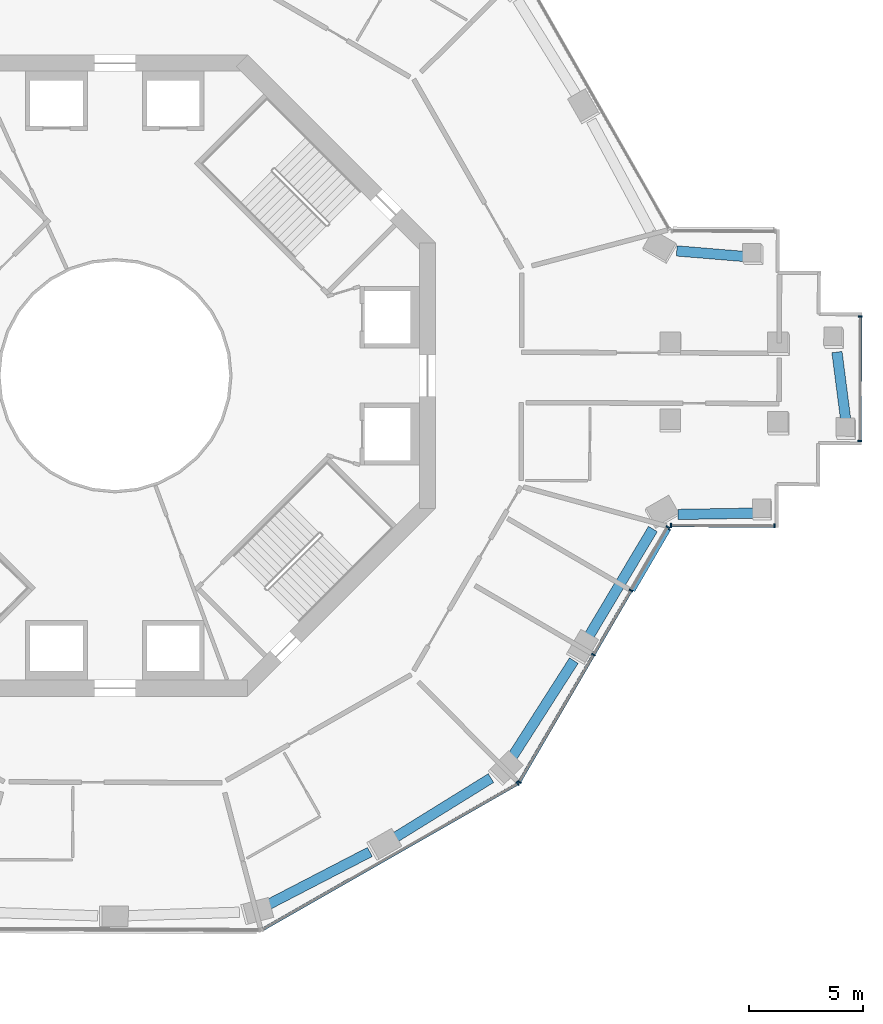
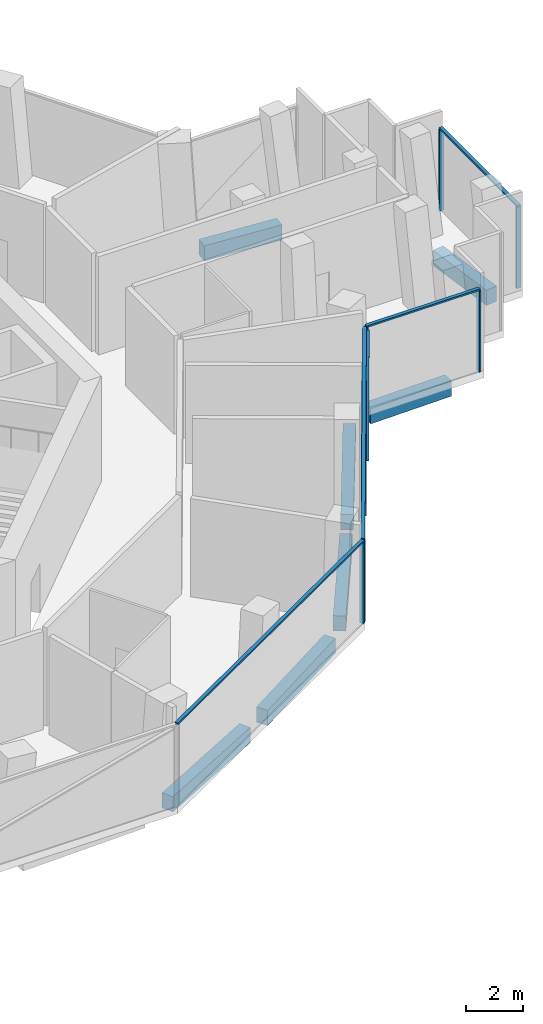
# One storey, part 4 of 16: 14 members, 7 beams, 4 elements without a shape of their own.
"""IFC4 building model written with IfcOpenShell, lengths in metres."""

from ifc_helpers import new_model, si_unit, direction, frame, origin, origin_2d, place, context, subcontext, project, spatial, rectangle, extrude, material, layer, layer_set, material_profile, profile_set, type_object, element, aggregate, save


model = new_model("IFC4")

# Units and contexts
model_context = context("Model", 3, precision=1e-05, world=origin(), true_north=direction((0.0, 1.0)))
body_context = subcontext(model_context, "Body", "Model", "MODEL_VIEW")
ifc_project = project(units=[si_unit("LENGTHUNIT", "METRE"), si_unit("AREAUNIT", "SQUARE_METRE"), si_unit("VOLUMEUNIT", "CUBIC_METRE"), si_unit("PLANEANGLEUNIT", "RADIAN"), si_unit("MASSUNIT", "GRAM", prefix="KILO")], contexts=[model_context])

# Site, building, storey
site_placement = place(None, origin())
site = spatial("IfcSite", under=ifc_project, at=site_placement, CompositionType="ELEMENT")
building_placement = place(site_placement, origin())
building = spatial("IfcBuilding", under=site, at=building_placement, Name="Verdalira Terraces Hotel", CompositionType="ELEMENT")
storey_placement = place(building_placement, frame((0.0, 0.0, 154.0)))
storey = spatial("IfcBuildingStorey", under=building, at=storey_placement, Name="L37", CompositionType="ELEMENT", Elevation=154.0)

# Curtain wall, member
ifc_material_1 = material(Name="Clear glass", Category="glass")
ifc_layer = layer(ifc_material_1, 0.179931640625)
ifc_layer_set = layer_set([ifc_layer], Name="CW4 curtain wall")
curtain_wall_type = type_object("IfcCurtainWallType", Name="CW4 curtain wall", PredefinedType="NOTDEFINED", material=ifc_layer_set)
curtain_wall_1_placement = place(storey_placement, origin())
curtain_wall_1 = element("IfcCurtainWall", 1, at=curtain_wall_1_placement, inside=storey, type_object=curtain_wall_type, Name="CW4 curtain wall L37 edge 26", PredefinedType="NOTDEFINED")
ifc_material_2 = material(Name="Terracotta frame", Category="masonry")
ifc_material_profile_1 = material_profile(ifc_material_2, rectangle(XDim=0.064941, YDim=0.179932, at=origin_2d()), Name="MU 65x180")
ifc_profile_set_1 = profile_set([ifc_material_profile_1], Name="Terracotta frame")
member_type_1 = type_object("IfcMemberType", Name="CW4 mullion 65x180", PredefinedType="MULLION", material=ifc_profile_set_1)
member_1_placement = place(storey_placement, frame((17.59082, -17.81665, 0.0), z_axis=(0.0, 0.0, 1.0), x_axis=(0.868112195, 0.496368025, 0.0)))
member_1 = element("IfcMember", 2, at=member_1_placement, type_object=member_type_1, Name="CW4 mullion", PredefinedType="MULLION", context=body_context, shape_type="SweptSolid", body=[
    extrude(rectangle(XDim=0.064941, YDim=0.179932, at=origin_2d()), origin(), (0.0, 0.0, 1.0), 3.469971),
])

# Curtain wall, members
curtain_wall_2_placement = place(storey_placement, origin())
curtain_wall_2 = element("IfcCurtainWall", 3, at=curtain_wall_2_placement, inside=storey, type_object=curtain_wall_type, Name="CW4 curtain wall L37 edge 27", PredefinedType="NOTDEFINED")
member_2_placement = place(storey_placement, frame((17.668457, -17.739502, 0.0), z_axis=(0.0, 0.0, 1.0), x_axis=(0.503623202, 0.863923417, 0.0)))
member_2 = element("IfcMember", 4, at=member_2_placement, type_object=member_type_1, Name="CW4 mullion", PredefinedType="MULLION", context=body_context, shape_type="SweptSolid", body=[
    extrude(rectangle(XDim=0.064941, YDim=0.179932, at=origin_2d()), origin(), (0.0, 0.0, 1.0), 3.469971),
])
member_3_placement = place(storey_placement, frame((20.905518, -12.186768, 0.0), z_axis=(0.0, 0.0, 1.0), x_axis=(0.503623202, 0.863923417, 0.0)))
member_3 = element("IfcMember", 5, at=member_3_placement, type_object=member_type_1, Name="CW4 mullion", PredefinedType="MULLION", context=body_context, shape_type="SweptSolid", body=[
    extrude(rectangle(XDim=0.064941, YDim=0.179932, at=origin_2d()), origin(), (0.0, 0.0, 1.0), 3.469971),
])
member_4_placement = place(storey_placement, frame((22.542236, -9.37915, 0.0), z_axis=(0.0, 0.0, 1.0), x_axis=(0.503623202, 0.863923417, 0.0)))
member_4 = element("IfcMember", 6, at=member_4_placement, type_object=member_type_1, Name="CW4 mullion", PredefinedType="MULLION", context=body_context, shape_type="SweptSolid", body=[
    extrude(rectangle(XDim=0.064941, YDim=0.179932, at=origin_2d()), origin(), (0.0, 0.0, 1.0), 3.469971),
])
member_5_placement = place(storey_placement, frame((24.154053, -6.614258, 0.0), z_axis=(0.0, 0.0, 1.0), x_axis=(0.503623202, 0.863923417, 0.0)))
member_5 = element("IfcMember", 7, at=member_5_placement, type_object=member_type_1, Name="CW4 mullion", PredefinedType="MULLION", context=body_context, shape_type="SweptSolid", body=[
    extrude(rectangle(XDim=0.064941, YDim=0.179932, at=origin_2d()), origin(), (0.0, 0.0, 1.0), 3.469971),
])

curtain_wall_3_placement = place(storey_placement, origin())
curtain_wall_3 = element("IfcCurtainWall", 8, at=curtain_wall_3_placement, inside=storey, type_object=curtain_wall_type, Name="CW4 curtain wall L37 edge 28", PredefinedType="NOTDEFINED")
member_6_placement = place(storey_placement, frame((24.281006, -6.541748, 0.0), z_axis=(0.0, 0.0, 1.0), x_axis=(0.999991227, -0.004188778, 0.0)))
member_6 = element("IfcMember", 9, at=member_6_placement, type_object=member_type_1, Name="CW4 mullion", PredefinedType="MULLION", context=body_context, shape_type="SweptSolid", body=[
    extrude(rectangle(XDim=0.064941, YDim=0.179932, at=origin_2d()), origin(), (0.0, 0.0, 1.0), 3.469971),
])
member_7_placement = place(storey_placement, frame((28.799316, -6.560791, 0.0), z_axis=(0.0, 0.0, 1.0), x_axis=(0.999991227, -0.004188778, 0.0)))
member_7 = element("IfcMember", 10, at=member_7_placement, type_object=member_type_1, Name="CW4 mullion", PredefinedType="MULLION", context=body_context, shape_type="SweptSolid", body=[
    extrude(rectangle(XDim=0.064941, YDim=0.179932, at=origin_2d()), origin(), (0.0, 0.0, 1.0), 3.469971),
])

curtain_wall_4_placement = place(storey_placement, origin())
curtain_wall_4 = element("IfcCurtainWall", 11, at=curtain_wall_4_placement, inside=storey, type_object=curtain_wall_type, Name="CW4 curtain wall L37 edge 33", PredefinedType="NOTDEFINED")
member_8_placement = place(storey_placement, frame((32.537354, -2.85376, 0.0), z_axis=(0.0, 0.0, 1.0), x_axis=(0.004188778, 0.999991227, 0.0)))
member_8 = element("IfcMember", 12, at=member_8_placement, type_object=member_type_1, Name="CW4 mullion", PredefinedType="MULLION", context=body_context, shape_type="SweptSolid", body=[
    extrude(rectangle(XDim=0.064941, YDim=0.179932, at=origin_2d()), origin(), (0.0, 0.0, 1.0), 3.469971),
])
member_9_placement = place(storey_placement, frame((32.560059, 2.581055, 0.0), z_axis=(0.0, 0.0, 1.0), x_axis=(0.004188778, 0.999991227, 0.0)))
member_9 = element("IfcMember", 13, at=member_9_placement, type_object=member_type_1, Name="CW4 mullion", PredefinedType="MULLION", context=body_context, shape_type="SweptSolid", body=[
    extrude(rectangle(XDim=0.064941, YDim=0.179932, at=origin_2d()), origin(), (0.0, 0.0, 1.0), 3.469971),
])

# Member
ifc_material_3 = material(Name="Terracotta frame", Category="masonry")
ifc_material_profile_2 = material_profile(ifc_material_3, rectangle(XDim=0.139893, YDim=0.070068, at=origin_2d()), Name="TR 70x140")
ifc_profile_set_2 = profile_set([ifc_material_profile_2], Name="Terracotta frame")
member_type_2 = type_object("IfcMemberType", Name="CW4 transom 70x140", PredefinedType="USERDEFINED", material=ifc_profile_set_2)
member_10_placement = place(storey_placement, frame((6.40332, -24.213379, 3.504883), z_axis=(0.86811636, 0.496360741, 0.0), x_axis=(-0.496360741, 0.86811636, 0.0)))
member_10 = element("IfcMember", 14, at=member_10_placement, type_object=member_type_2, Name="CW4 transom", ObjectType="TRANSOM", PredefinedType="USERDEFINED", context=body_context, shape_type="SweptSolid", body=[
    extrude(rectangle(XDim=0.139893, YDim=0.070068, at=origin_2d()), origin(), (0.0, 0.0, 1.0), 12.919678),
])

aggregate(curtain_wall_1, [member_1, member_10])

member_11_placement = place(storey_placement, frame((17.6521, -17.767578, 3.504883), z_axis=(0.503630573, 0.86391912, 0.0), x_axis=(-0.86391912, 0.503630573, 0.0)))
member_11 = element("IfcMember", 15, at=member_11_placement, type_object=member_type_2, Name="CW4 transom", ObjectType="TRANSOM", PredefinedType="USERDEFINED", context=body_context, shape_type="SweptSolid", body=[
    extrude(rectangle(XDim=0.139893, YDim=0.070068, at=origin_2d()), origin(), (0.0, 0.0, 1.0), 12.942627),
])

member_12_placement = place(storey_placement, frame((24.248535, -6.541748, 3.504883), z_axis=(0.999991369, -0.004154867, 0.0), x_axis=(0.004154867, 0.999991369, 0.0)))
member_12 = element("IfcMember", 16, at=member_12_placement, type_object=member_type_2, Name="CW4 transom", ObjectType="TRANSOM", PredefinedType="USERDEFINED", context=body_context, shape_type="SweptSolid", body=[
    extrude(rectangle(XDim=0.139893, YDim=0.070068, at=origin_2d()), origin(), (0.0, 0.0, 1.0), 4.583252),
])

aggregate(curtain_wall_3, [member_6, member_7, member_12])

member_13_placement = place(storey_placement, frame((32.537109, -2.88623, 3.504883), z_axis=(0.004217124, 0.999991108, 0.0), x_axis=(-0.999991108, 0.004217124, 0.0)))
member_13 = element("IfcMember", 17, at=member_13_placement, type_object=member_type_2, Name="CW4 transom", ObjectType="TRANSOM", PredefinedType="USERDEFINED", context=body_context, shape_type="SweptSolid", body=[
    extrude(rectangle(XDim=0.139893, YDim=0.070068, at=origin_2d()), origin(), (0.0, 0.0, 1.0), 5.499756),
])

aggregate(curtain_wall_4, [member_8, member_9, member_13])

ifc_material_4 = material(Name="Terracotta frame", Category="masonry")
ifc_material_profile_3 = material_profile(ifc_material_4, rectangle(XDim=0.149902, YDim=0.060059, at=origin_2d()), Name="GB 60x150")
ifc_profile_set_3 = profile_set([ifc_material_profile_3], Name="Terracotta frame")
member_type_3 = type_object("IfcMemberType", Name="Diagonal glazing bar 60x150", PredefinedType="USERDEFINED", material=ifc_profile_set_3)
member_14_placement = place(storey_placement, frame((22.650879, -9.377441, 0.026123), z_axis=(0.337633875, 0.579171955, 0.741999469), x_axis=(-0.863919378, 0.503630131, 0.0)))
member_14 = element("IfcMember", 18, at=member_14_placement, type_object=member_type_3, Name="Diagonal glazing bar", ObjectType="GLAZING BAR", PredefinedType="USERDEFINED", context=body_context, shape_type="SweptSolid", body=[
    extrude(rectangle(XDim=0.149902, YDim=0.060059, at=origin_2d()), origin(), (0.0, 0.0, 1.0), 4.606201),
])

aggregate(curtain_wall_2, [member_2, member_3, member_4, member_5, member_11, member_14])

# Beams
ifc_material_5 = material(Name="Concrete C50", Category="concrete")
ifc_material_profile_4 = material_profile(ifc_material_5, rectangle(XDim=0.449951, YDim=0.649902, at=origin_2d()), Name="RC 450X650")
ifc_profile_set_4 = profile_set([ifc_material_profile_4], Name="Concrete C50")
beam_type = type_object("IfcBeamType", Name="Spandrel beam RC 450X650 C50", PredefinedType="SPANDREL", material=ifc_profile_set_4)
beam_1_placement = place(storey_placement, frame((6.682373, -23.106689, -0.63501), z_axis=(0.887889319, 0.460057124, 0.0), x_axis=(-0.460057124, 0.887889319, 0.0)))
element("IfcBeam", 19, at=beam_1_placement, inside=storey, type_object=beam_type, Name="Spandrel beam B11", PredefinedType="SPANDREL", context=body_context, shape_type="SweptSolid", body=[
    extrude(rectangle(XDim=0.449951, YDim=0.649902, at=origin_2d()), origin(), (0.0, 0.0, 1.0), 5.015381),
])
beam_2_placement = place(storey_placement, frame((12.163818, -20.215088, -0.63501), z_axis=(0.850060587, 0.526684914, 0.0), x_axis=(-0.526684914, 0.850060587, 0.0)))
element("IfcBeam", 20, at=beam_2_placement, inside=storey, type_object=beam_type, Name="Spandrel beam B12", PredefinedType="SPANDREL", context=body_context, shape_type="SweptSolid", body=[
    extrude(rectangle(XDim=0.449951, YDim=0.649902, at=origin_2d()), origin(), (0.0, 0.0, 1.0), 5.012207),
])
beam_3_placement = place(storey_placement, frame((17.340576, -16.669922, -0.63501), z_axis=(0.538886554, 0.842378349, 0.0), x_axis=(-0.842378349, 0.538886554, 0.0)))
element("IfcBeam", 21, at=beam_3_placement, inside=storey, type_object=beam_type, Name="Spandrel beam B13", PredefinedType="SPANDREL", context=body_context, shape_type="SweptSolid", body=[
    extrude(rectangle(XDim=0.449951, YDim=0.649902, at=origin_2d()), origin(), (0.0, 0.0, 1.0), 5.015625),
])
beam_4_placement = place(storey_placement, frame((20.655273, -11.455078, -0.63501), z_axis=(0.512545481, 0.858660078, 0.0), x_axis=(-0.858660078, 0.512545481, 0.0)))
element("IfcBeam", 22, at=beam_4_placement, inside=storey, type_object=beam_type, Name="Spandrel beam B14", PredefinedType="SPANDREL", context=body_context, shape_type="SweptSolid", body=[
    extrude(rectangle(XDim=0.449951, YDim=0.649902, at=origin_2d()), origin(), (0.0, 0.0, 1.0), 5.544922),
])
beam_5_placement = place(storey_placement, frame((24.58667, -6.060059, -0.63501), z_axis=(0.999847753, 0.017449092, 0.0), x_axis=(-0.017449092, 0.999847753, 0.0)))
element("IfcBeam", 23, at=beam_5_placement, inside=storey, type_object=beam_type, Name="Spandrel beam B15", PredefinedType="SPANDREL", context=body_context, shape_type="SweptSolid", body=[
    extrude(rectangle(XDim=0.449951, YDim=0.649902, at=origin_2d()), origin(), (0.0, 0.0, 1.0), 3.302002),
])
beam_6_placement = place(storey_placement, frame((31.93042, -2.030518, -0.63501), z_axis=(-0.12790859, 0.991785961, 0.0), x_axis=(-0.991785961, -0.12790859, 0.0)))
element("IfcBeam", 24, at=beam_6_placement, inside=storey, type_object=beam_type, Name="Spandrel beam B16", PredefinedType="SPANDREL", context=body_context, shape_type="SweptSolid", body=[
    extrude(rectangle(XDim=0.449951, YDim=0.649902, at=origin_2d()), origin(), (0.0, 0.0, 1.0), 3.086426),
])
beam_7_placement = place(storey_placement, frame((27.541748, 5.201904, -0.63501), z_axis=(-0.996627941, 0.082053324, 0.0), x_axis=(-0.082053324, -0.996627941, 0.0)))
element("IfcBeam", 25, at=beam_7_placement, inside=storey, type_object=beam_type, Name="Spandrel beam B17", PredefinedType="SPANDREL", context=body_context, shape_type="SweptSolid", body=[
    extrude(rectangle(XDim=0.449951, YDim=0.649902, at=origin_2d()), origin(), (0.0, 0.0, 1.0), 3.01416),
])

save(model, "model.ifc")
